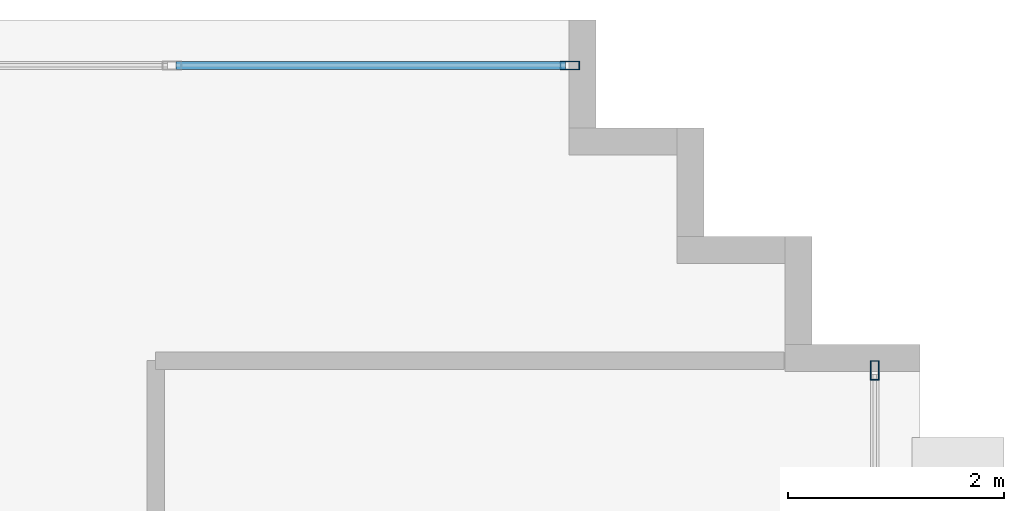
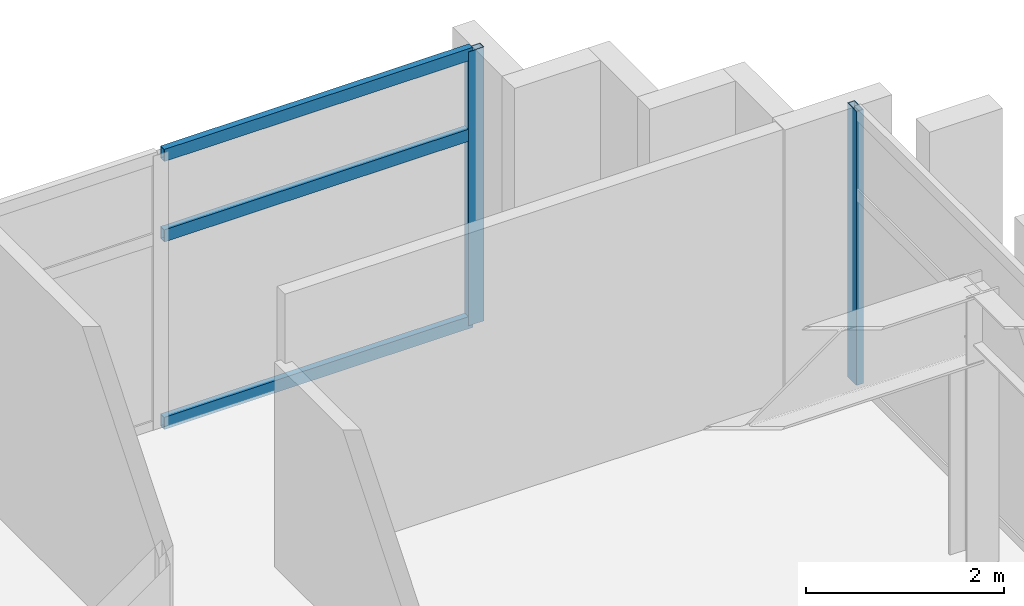
# One storey, part 10 of 15: 5 members, 2 elements without a shape of their own.
"""IFC4 building model written with IfcOpenShell, lengths in metres."""

import ifcopenshell
import ifcopenshell.guid

model = None  # the IFC model being written
_history = None  # IfcOwnerHistory: only IFC2X3 demands one
_inside = {}  # id of a spatial element -> (the spatial element, [elements in it])
_under = {}  # id of a project, library or spatial element -> (it, [spatial elements below it])
_declared = {}  # id of a project -> (the project, [libraries it declares])
_typed = {}  # id of a type object -> (the type object, [elements of that type])
_made_of = {}  # id of a material, layer set ... -> (it, [elements and type objects made of it])


def new_model(schema):
    """Start an empty IFC model of exactly this schema.

    Asked for "IFC4X3", IfcOpenShell would pick the latest addendum, in which some entities
    have other attributes; the version numbers below select the first issue.
    IFC2X3 requires an IfcOwnerHistory on every rooted entity: one is made here for all.
    """
    global model, _history
    if schema == "IFC4X3":
        model = ifcopenshell.file(schema_version=(4, 3, 0, 0))
    else:
        model = ifcopenshell.file(schema=schema)
    _inside.clear()
    _under.clear()
    _declared.clear()
    _typed.clear()
    _made_of.clear()
    _history = None
    if model.schema == "IFC2X3":
        org = make("IfcOrganization", Name="unknown")
        user = make(
            "IfcPersonAndOrganization",
            ThePerson=make("IfcPerson", FamilyName="unknown"),
            TheOrganization=org,
        )
        app = make(
            "IfcApplication",
            ApplicationDeveloper=org,
            Version="unknown",
            ApplicationFullName="unknown",
            ApplicationIdentifier="unknown",
        )
        _history = make(
            "IfcOwnerHistory",
            OwningUser=user,
            OwningApplication=app,
            ChangeAction="ADDED",
            CreationDate=0,
        )
    return model


def make(cls, **values):
    """One entity of the class cls with the attributes given. An attribute that is None is left unset."""
    return model.create_entity(
        cls, **{name: value for name, value in values.items() if value is not None}
    )


def rooted(cls, **values):
    """An entity with a GlobalId (a new one), such as an element, a storey or a relation."""
    return make(cls, GlobalId=ifcopenshell.guid.new(), OwnerHistory=_history, **values)


def si_unit(unit_type, name, prefix=None):
    """IfcSIUnit, for example si_unit("LENGTHUNIT", "METRE", prefix="MILLI")."""
    return make("IfcSIUnit", UnitType=unit_type, Prefix=prefix, Name=name)


def assignment(units):
    """IfcUnitAssignment: the units of a project."""
    return None if units is None else make("IfcUnitAssignment", Units=units)


def point(xyz):
    """IfcCartesianPoint."""
    return None if xyz is None else make("IfcCartesianPoint", Coordinates=xyz)


def direction(xyz):
    """IfcDirection."""
    return None if xyz is None else make("IfcDirection", DirectionRatios=xyz)


def frame(location, z_axis=None, x_axis=None):
    """IfcAxis2Placement3D, a coordinate frame: its origin and axes. An axis left out is left unset."""
    return make(
        "IfcAxis2Placement3D",
        Location=point(location),
        Axis=direction(z_axis),
        RefDirection=direction(x_axis),
    )


def frame_2d(location, x_axis=None):
    """IfcAxis2Placement2D, a coordinate frame in the plane: its origin and x axis."""
    return make(
        "IfcAxis2Placement2D", Location=point(location), RefDirection=direction(x_axis)
    )


def origin():
    """The frame at (0, 0, 0) with its axes left unset."""
    return frame((0.0, 0.0, 0.0))


def origin_2d():
    """The frame at (0, 0) in the plane with its x axis left unset."""
    return frame_2d((0.0, 0.0))


def place(relative_to, where):
    """IfcLocalPlacement: puts the frame where relative to a parent placement (None: the world)."""
    return make(
        "IfcLocalPlacement", PlacementRelTo=relative_to, RelativePlacement=where
    )


def context(
    kind, dimensions, precision=None, world=None, true_north=None, identifier=None
):
    """IfcGeometricRepresentationContext, for example the 3D "Model" context."""
    return make(
        "IfcGeometricRepresentationContext",
        ContextIdentifier=identifier,
        ContextType=kind,
        CoordinateSpaceDimension=dimensions,
        Precision=precision,
        WorldCoordinateSystem=world,
        TrueNorth=true_north,
    )


def subcontext(parent, identifier, kind, view, scale=None):
    """IfcGeometricRepresentationSubContext, for example "Body" below "Model"."""
    return make(
        "IfcGeometricRepresentationSubContext",
        ContextIdentifier=identifier,
        ContextType=kind,
        ParentContext=parent,
        TargetScale=scale,
        TargetView=view,
    )


def project(units=None, contexts=None):
    """IfcProject with its units and contexts."""
    return rooted(
        "IfcProject",
        Name="project",
        RepresentationContexts=contexts,
        UnitsInContext=assignment(units),
    )


def spatial(cls, under=None, at=None, **own):
    """A site, building, storey or space (cls), placed at a placement, below another one or the project."""
    s = rooted(cls, ObjectPlacement=at, **own)
    if under is not None:
        _under.setdefault(under.id(), (under, []))[1].append(s)
    return s


def profile(cls, at=None, kind="AREA", **sizes):
    """A parametric profile (cls). Its sizes go by their IFC names, for example OverallWidth=200.0."""
    return make(cls, ProfileType=kind, Position=at, **sizes)


def hollow_rectangle(**sizes):
    """IfcRectangleHollowProfileDef."""
    return profile("IfcRectangleHollowProfileDef", **sizes)


def extrude(swept, where, along, depth):
    """IfcExtrudedAreaSolid: the profile swept, set in the frame where, extruded along a direction by depth."""
    return make(
        "IfcExtrudedAreaSolid",
        SweptArea=swept,
        Position=where,
        ExtrudedDirection=direction(along),
        Depth=depth,
    )


def shape(context_of_items, identifier, shape_type, items):
    """IfcShapeRepresentation: the items that make up one representation, for example the "Body"."""
    return make(
        "IfcShapeRepresentation",
        ContextOfItems=context_of_items,
        RepresentationIdentifier=identifier,
        RepresentationType=shape_type,
        Items=items,
    )


def source(mapping_origin, context_of_items, identifier, shape_type, items):
    """IfcRepresentationMap: a shape defined once, which mapped items show again and again."""
    return make(
        "IfcRepresentationMap",
        MappingOrigin=mapping_origin,
        MappedRepresentation=shape(context_of_items, identifier, shape_type, items),
    )


def transform(
    local_origin,
    x_axis=None,
    y_axis=None,
    z_axis=None,
    scale=None,
    scale2=None,
    scale3=None,
    uniform=True,
):
    """IfcCartesianTransformationOperator3D, or its non-uniform kind. x_axis, y_axis, z_axis: its Axis1, 2, 3."""
    if uniform:
        return make(
            "IfcCartesianTransformationOperator3D",
            Axis1=direction(x_axis),
            Axis2=direction(y_axis),
            LocalOrigin=point(local_origin),
            Scale=scale,
            Axis3=direction(z_axis),
        )
    return make(
        "IfcCartesianTransformationOperator3DnonUniform",
        Axis1=direction(x_axis),
        Axis2=direction(y_axis),
        LocalOrigin=point(local_origin),
        Scale=scale,
        Axis3=direction(z_axis),
        Scale2=scale2,
        Scale3=scale3,
    )


def mapped(mapping_source, mapping_target):
    """IfcMappedItem: shows the shape of a source again, moved by a transform."""
    return make(
        "IfcMappedItem", MappingSource=mapping_source, MappingTarget=mapping_target
    )


def material(Name=None, Category=None):
    """IfcMaterial."""
    return make("IfcMaterial", Name=Name, Category=Category)


def layer(
    of_material, thickness, ventilated=None, Name=None, Category=None, Priority=None
):
    """IfcMaterialLayer: one layer of a wall or slab, of a material (None: an air gap)."""
    return make(
        "IfcMaterialLayer",
        Material=of_material,
        LayerThickness=thickness,
        IsVentilated=ventilated,
        Name=Name,
        Category=Category,
        Priority=Priority,
    )


def layer_set(layers, Name=None):
    """IfcMaterialLayerSet."""
    return make("IfcMaterialLayerSet", MaterialLayers=layers, LayerSetName=Name)


def material_profile(
    of_material, cross_section, Name=None, Category=None, Priority=None
):
    """IfcMaterialProfile: a cross section and its material."""
    return make(
        "IfcMaterialProfile",
        Name=Name,
        Material=of_material,
        Profile=cross_section,
        Priority=Priority,
        Category=Category,
    )


def profile_set(profiles, Name=None, composite=None):
    """IfcMaterialProfileSet."""
    return make(
        "IfcMaterialProfileSet",
        Name=Name,
        MaterialProfiles=profiles,
        CompositeProfile=composite,
    )


def made_of(thing, what):
    """Note that an element or type object is made of a material, layer set ...; save() writes the relation."""
    if what is not None:
        _made_of.setdefault(what.id(), (what, []))[1].append(thing)
    return thing


def type_object(cls, material=None, **own):
    """A type object (cls), such as IfcWallType, which elements share."""
    return made_of(rooted(cls, **own), material)


def element(
    cls,
    number,
    at=None,
    inside=None,
    cuts=None,
    type_object=None,
    material=None,
    context=None,
    identifier="Body",
    shape_type=None,
    held_by="IfcProductDefinitionShape",
    body=None,
    shapes=None,
    **own,
):
    """One element of the class cls, such as IfcWall. Its Tag is "e" and its number.

    at: its placement. inside: the storey or other place that contains it. cuts: it is an
    opening in that element (IfcRelVoidsElement). A single representation is given by context,
    identifier, shape_type and body (its items); several are given by shapes. held_by: the class
    of the entity that holds the representations. save() writes the other relations.
    """
    e = rooted(cls, Tag="e%d" % number, ObjectPlacement=at, **own)
    if body is not None:
        shapes = [shape(context, identifier, shape_type, body)]
    if shapes is not None:
        e.Representation = make(held_by, Representations=shapes)
    if inside is not None:
        _inside.setdefault(inside.id(), (inside, []))[1].append(e)
    if cuts is not None:
        rooted(
            "IfcRelVoidsElement", RelatingBuildingElement=cuts, RelatedOpeningElement=e
        )
    if type_object is not None:
        _typed.setdefault(type_object.id(), (type_object, []))[1].append(e)
    return made_of(e, material)


def aggregate(whole, parts):
    """IfcRelAggregates: a whole, such as a stair, and the parts it consists of."""
    return rooted("IfcRelAggregates", RelatingObject=whole, RelatedObjects=parts)


def save(model, path):
    """Write the relations noted so far, then the file.

    IfcRelAggregates (storeys below a building ...), IfcRelContainedInSpatialStructure (elements
    in a storey), IfcRelDefinesByType, IfcRelAssociatesMaterial and IfcRelDeclares: one each for
    every whole, place, type object, material and project.
    """
    for whole, parts in _under.values():
        aggregate(whole, parts)
    for where, things in _inside.values():
        rooted(
            "IfcRelContainedInSpatialStructure",
            RelatedElements=things,
            RelatingStructure=where,
        )
    for kind, things in _typed.values():
        rooted("IfcRelDefinesByType", RelatedObjects=things, RelatingType=kind)
    for what, things in _made_of.values():
        rooted("IfcRelAssociatesMaterial", RelatedObjects=things, RelatingMaterial=what)
    for by, libraries in _declared.values():
        rooted("IfcRelDeclares", RelatingContext=by, RelatedDefinitions=libraries)
    model.write(path)


model = new_model("IFC4")

# Units and contexts
model_context = context("Model", 3, precision=1e-05, world=origin(), true_north=direction((0.0, 1.0)))
body_context = subcontext(model_context, "Body", "Model", "MODEL_VIEW")
ifc_project = project(units=[si_unit("LENGTHUNIT", "METRE"), si_unit("AREAUNIT", "SQUARE_METRE"), si_unit("VOLUMEUNIT", "CUBIC_METRE"), si_unit("PLANEANGLEUNIT", "RADIAN"), si_unit("MASSUNIT", "GRAM", prefix="KILO")], contexts=[model_context])

# Site, building, storey
site_placement = place(None, origin())
site = spatial("IfcSite", under=ifc_project, at=site_placement, CompositionType="ELEMENT")
building_placement = place(site_placement, origin())
building = spatial("IfcBuilding", under=site, at=building_placement, Name="Ocotamira Hotel", CompositionType="ELEMENT")
storey_placement = place(building_placement, frame((0.0, 0.0, 294.0)))
storey = spatial("IfcBuildingStorey", under=building, at=storey_placement, Name="L75", CompositionType="ELEMENT", Elevation=294.0)

# Curtain wall, member
ifc_material_1 = material(Name="Anodised pale-metal aluminium and solar glass", Category="aluminium")
ifc_layer = layer(ifc_material_1, 0.2099609375)
ifc_layer_set = layer_set([ifc_layer], Name="Anodised pale-metal aluminium and solar glass")
curtain_wall_type = type_object("IfcCurtainWallType", Name="CW-SYS7-PEAK", PredefinedType="NOTDEFINED", material=ifc_layer_set)
curtain_wall_1_placement = place(storey_placement, origin())
curtain_wall_1 = element("IfcCurtainWall", 1, at=curtain_wall_1_placement, inside=storey, type_object=curtain_wall_type, Name="L75 Curtain Wall CW-7 CW-L75-N", PredefinedType="NOTDEFINED")
ifc_material_2 = material(Name="Anodised pale-metal aluminium 6063-T6", Category="aluminium")
ifc_material_profile_1 = material_profile(ifc_material_2, hollow_rectangle(XDim=0.080078125, YDim=0.179931640625, WallThickness=0.006103515625, at=origin_2d()), Name="HSS180X80X6")
ifc_profile_set_1 = profile_set([ifc_material_profile_1], Name="Anodised pale-metal aluminium 6063-T6")
member_type_1 = type_object("IfcMemberType", Name="CWM-180X75", PredefinedType="MULLION", material=ifc_profile_set_1)
shared_shape_1 = source(origin(), body_context, "Body", "SweptSolid", [
    extrude(hollow_rectangle(XDim=0.080078125, YDim=0.179931640625, WallThickness=0.006103515625, at=origin_2d()), origin(), (0.0, 0.0, 1.0), 3.3798828125),
])
member_1_placement = place(storey_placement, frame((29.760009765625, 43.580078125, 0.0), z_axis=(0.0, 0.0, 1.0), x_axis=(0.0, 1.0, 0.0)))
member_1 = element("IfcMember", 2, at=member_1_placement, type_object=member_type_1, Name="CW-7 mullion 6", PredefinedType="MULLION", context=body_context, shape_type="MappedRepresentation", body=[
    mapped(shared_shape_1, transform((0.0, 0.0, 0.0), scale=1.0)),
])

curtain_wall_2_placement = place(storey_placement, origin())
curtain_wall_2 = element("IfcCurtainWall", 3, at=curtain_wall_2_placement, inside=storey, type_object=curtain_wall_type, Name="L75 Curtain Wall CW-7 CW-L75-E2", PredefinedType="NOTDEFINED")
member_2_placement = place(storey_placement, frame((32.580078125, 40.760009765625, 0.0), z_axis=(0.0, 0.0, 1.0), x_axis=(-1.0, 0.0, 0.0)))
member_2 = element("IfcMember", 4, at=member_2_placement, type_object=member_type_1, Name="CW-7 mullion 4", PredefinedType="MULLION", context=body_context, shape_type="MappedRepresentation", body=[
    mapped(shared_shape_1, transform((0.0, 0.0, 0.0), scale=1.0)),
])
aggregate(curtain_wall_2, [member_2])

# Member
ifc_material_profile_2 = material_profile(ifc_material_2, hollow_rectangle(XDim=0.074951171875, YDim=0.14990234375, WallThickness=0.006103515625, at=origin_2d()), Name="HSS150X75X6")
ifc_profile_set_2 = profile_set([ifc_material_profile_2], Name="Anodised pale-metal aluminium 6063-T6")
member_type_2 = type_object("IfcMemberType", Name="CWT-150X75", PredefinedType="USERDEFINED", material=ifc_profile_set_2)
shared_shape_2 = source(origin(), body_context, "Body", "SweptSolid", [
    extrude(hollow_rectangle(XDim=0.074951171875, YDim=0.14990234375, WallThickness=0.006103515625, at=origin_2d()), origin(), (0.0, 0.0, 1.0), 3.599853515625),
])
member_3_placement = place(storey_placement, frame((26.1201171875, 43.580078125, 0.03759765625), z_axis=(1.0, 0.0, 0.0), x_axis=(0.0, 1.0, 0.0)))
member_3 = element("IfcMember", 5, at=member_3_placement, type_object=member_type_2, Name="CW-7 transom 5.1", ObjectType="TRANSOM", PredefinedType="USERDEFINED", context=body_context, shape_type="MappedRepresentation", body=[
    mapped(shared_shape_2, transform((0.0, 0.0, 0.0), scale=1.0)),
])

member_4_placement = place(storey_placement, frame((26.1201171875, 43.580078125, 2.35009765625), z_axis=(1.0, 0.0, 0.0), x_axis=(0.0, 1.0, 0.0)))
member_4 = element("IfcMember", 6, at=member_4_placement, type_object=member_type_2, Name="CW-7 transom 5.2", ObjectType="TRANSOM", PredefinedType="USERDEFINED", context=body_context, shape_type="MappedRepresentation", body=[
    mapped(shared_shape_2, transform((0.0, 0.0, 0.0), scale=1.0)),
])

member_5_placement = place(storey_placement, frame((26.1201171875, 43.580078125, 3.342529296875), z_axis=(1.0, 0.0, 0.0), x_axis=(0.0, 1.0, 0.0)))
member_5 = element("IfcMember", 7, at=member_5_placement, type_object=member_type_2, Name="CW-7 transom 5.3", ObjectType="TRANSOM", PredefinedType="USERDEFINED", context=body_context, shape_type="MappedRepresentation", body=[
    mapped(shared_shape_2, transform((0.0, 0.0, 0.0), scale=1.0)),
])

aggregate(curtain_wall_1, [member_1, member_3, member_4, member_5])

save(model, "model.ifc")
